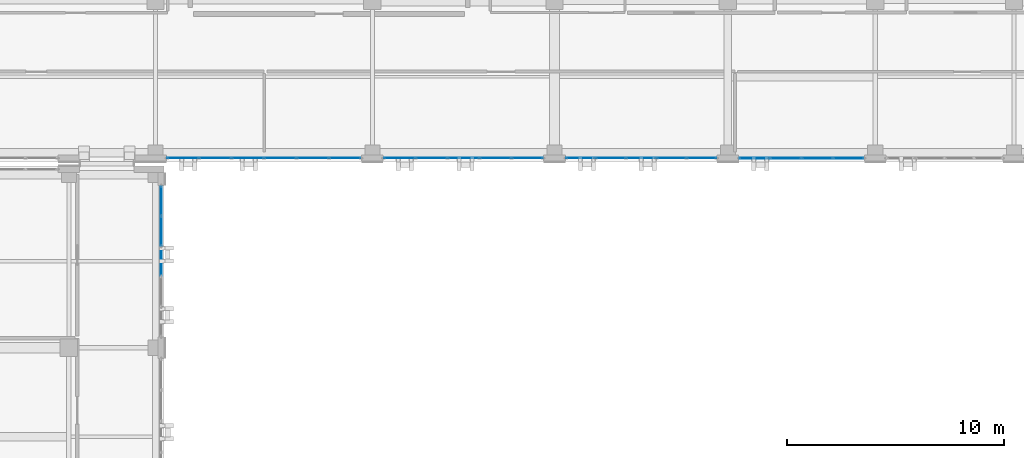
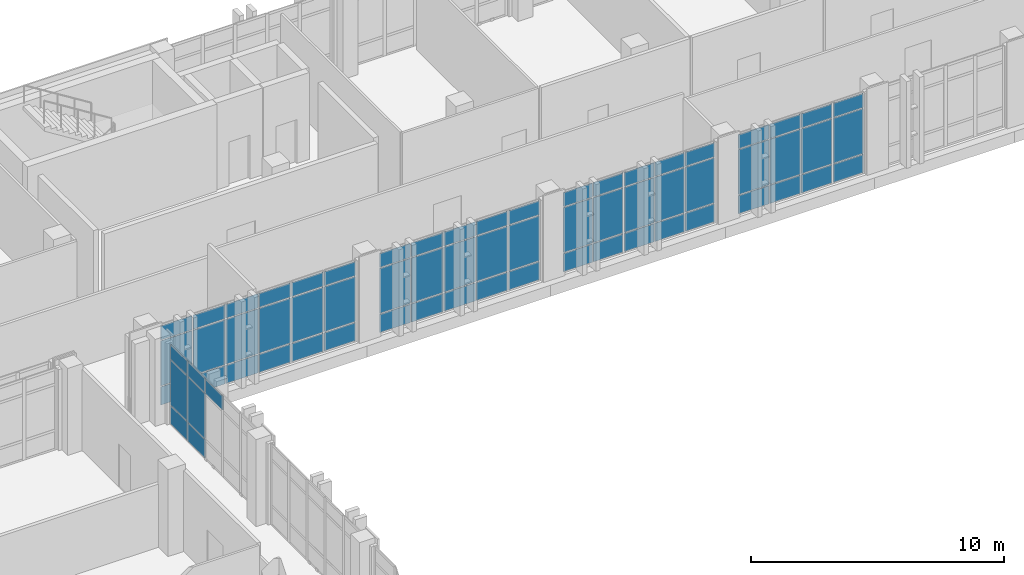
# One storey, part 125 of 165: 67 plates, 5 elements without a shape of their own.
"""IFC4 building model written with IfcOpenShell, lengths in metres."""

from ifc_helpers import new_model, si_unit, direction, frame, origin, origin_2d, place, context, subcontext, project, spatial, rectangle, extrude, material, layer, layer_set, type_object, element, aggregate, save


model = new_model("IFC4")

# Units and contexts
model_context = context("Model", 3, precision=1e-05, world=origin(), true_north=direction((0.0, 1.0)))
body_context = subcontext(model_context, "Body", "Model", "MODEL_VIEW")
ifc_project = project(units=[si_unit("LENGTHUNIT", "METRE"), si_unit("AREAUNIT", "SQUARE_METRE"), si_unit("VOLUMEUNIT", "CUBIC_METRE"), si_unit("PLANEANGLEUNIT", "RADIAN"), si_unit("MASSUNIT", "GRAM", prefix="KILO")], contexts=[model_context])

# Site, building, storey
site_placement = place(None, origin())
site = spatial("IfcSite", under=ifc_project, at=site_placement, CompositionType="ELEMENT")
building_placement = place(site_placement, origin())
building = spatial("IfcBuilding", under=site, at=building_placement, Name="Qalavern Law Courts", CompositionType="ELEMENT")
storey_placement = place(building_placement, frame((0.0, 0.0, 14.39990234375)))
storey = spatial("IfcBuildingStorey", under=building, at=storey_placement, Name="L03", CompositionType="ELEMENT", Elevation=14.39990234375)

# Curtain wall, plates
ifc_material_1 = material(Name="Anodised aluminium and insulated glazing", Category="aluminium")
ifc_layer_1 = layer(ifc_material_1, 0.166015625)
ifc_layer_set_1 = layer_set([ifc_layer_1], Name="Anodised aluminium and insulated glazing")
curtain_wall_type_1 = type_object("IfcCurtainWallType", Name="ENV-CW-LIB", PredefinedType="USERDEFINED", material=ifc_layer_set_1)
curtain_wall_1_placement = place(storey_placement, origin())
curtain_wall_1 = element("IfcCurtainWall", 1, at=curtain_wall_1_placement, inside=storey, type_object=curtain_wall_type_1, Name="V5 unitised curtain wall L03 south 1", ObjectType="UNITISED CURTAIN WALL", PredefinedType="USERDEFINED")
ifc_material_2 = material(Name="Insulated low-E acoustic glazing", Category="glass")
ifc_layer_2 = layer(ifc_material_2, 0.02392578125)
ifc_layer_set_2 = layer_set([ifc_layer_2], Name="Insulated low-E acoustic glazing")
plate_type_1 = type_object("IfcPlateType", Name="ENV-CWP-24", PredefinedType="CURTAIN_PANEL", material=ifc_layer_set_2)
plate_1_placement = place(storey_placement, frame((19.662109375, 96.347412109375, 0.048095703125), z_axis=(0.0, 0.0, 1.0), x_axis=(1.0, 0.0, 0.0)))
plate_1 = element("IfcPlate", 2, at=plate_1_placement, type_object=plate_type_1, Name="CW-05 panel 1.1", PredefinedType="CURTAIN_PANEL", context=body_context, shape_type="SweptSolid", body=[
    extrude(rectangle(XDim=1.427978515625, YDim=0.02392578125, at=origin_2d()), origin(), (0.0, 0.0, 1.0), 0.8779296875),
])
plate_2_placement = place(storey_placement, frame((19.662109375, 96.347412109375, 0.97412109375), z_axis=(0.0, 0.0, 1.0), x_axis=(1.0, 0.0, 0.0)))
plate_2 = element("IfcPlate", 3, at=plate_2_placement, type_object=plate_type_1, Name="CW-05 panel 1.2", PredefinedType="CURTAIN_PANEL", context=body_context, shape_type="SweptSolid", body=[
    extrude(rectangle(XDim=1.427978515625, YDim=0.02392578125, at=origin_2d()), origin(), (0.0, 0.0, 1.0), 2.172119140625),
])
plate_3_placement = place(storey_placement, frame((19.662109375, 96.347412109375, 3.1943359375), z_axis=(0.0, 0.0, 1.0), x_axis=(1.0, 0.0, 0.0)))
plate_3 = element("IfcPlate", 4, at=plate_3_placement, type_object=plate_type_1, Name="CW-05 panel 1.3", PredefinedType="CURTAIN_PANEL", context=body_context, shape_type="SweptSolid", body=[
    extrude(rectangle(XDim=1.427978515625, YDim=0.02392578125, at=origin_2d()), origin(), (0.0, 0.0, 1.0), 0.677978515625),
])
plate_4_placement = place(storey_placement, frame((21.14990234375, 96.347412109375, 0.048095703125), z_axis=(0.0, 0.0, 1.0), x_axis=(1.0, 0.0, 0.0)))
plate_4 = element("IfcPlate", 5, at=plate_4_placement, type_object=plate_type_1, Name="CW-05 panel 2.1", PredefinedType="CURTAIN_PANEL", context=body_context, shape_type="SweptSolid", body=[
    extrude(rectangle(XDim=1.451904296875, YDim=0.02392578125, at=origin_2d()), origin(), (0.0, 0.0, 1.0), 0.8779296875),
])
plate_5_placement = place(storey_placement, frame((21.14990234375, 96.347412109375, 0.97412109375), z_axis=(0.0, 0.0, 1.0), x_axis=(1.0, 0.0, 0.0)))
plate_5 = element("IfcPlate", 6, at=plate_5_placement, type_object=plate_type_1, Name="CW-05 panel 2.2", PredefinedType="CURTAIN_PANEL", context=body_context, shape_type="SweptSolid", body=[
    extrude(rectangle(XDim=1.451904296875, YDim=0.02392578125, at=origin_2d()), origin(), (0.0, 0.0, 1.0), 2.172119140625),
])
plate_6_placement = place(storey_placement, frame((21.14990234375, 96.347412109375, 3.1943359375), z_axis=(0.0, 0.0, 1.0), x_axis=(1.0, 0.0, 0.0)))
plate_6 = element("IfcPlate", 7, at=plate_6_placement, type_object=plate_type_1, Name="CW-05 panel 2.3", PredefinedType="CURTAIN_PANEL", context=body_context, shape_type="SweptSolid", body=[
    extrude(rectangle(XDim=1.451904296875, YDim=0.02392578125, at=origin_2d()), origin(), (0.0, 0.0, 1.0), 0.677978515625),
])
plate_7_placement = place(storey_placement, frame((22.64990234375, 96.347412109375, 0.048095703125), z_axis=(0.0, 0.0, 1.0), x_axis=(1.0, 0.0, 0.0)))
plate_7 = element("IfcPlate", 8, at=plate_7_placement, type_object=plate_type_1, Name="CW-05 panel 3.1", PredefinedType="CURTAIN_PANEL", context=body_context, shape_type="SweptSolid", body=[
    extrude(rectangle(XDim=1.451904296875, YDim=0.02392578125, at=origin_2d()), origin(), (0.0, 0.0, 1.0), 0.8779296875),
])
plate_8_placement = place(storey_placement, frame((22.64990234375, 96.347412109375, 0.97412109375), z_axis=(0.0, 0.0, 1.0), x_axis=(1.0, 0.0, 0.0)))
plate_8 = element("IfcPlate", 9, at=plate_8_placement, type_object=plate_type_1, Name="CW-05 panel 3.2", PredefinedType="CURTAIN_PANEL", context=body_context, shape_type="SweptSolid", body=[
    extrude(rectangle(XDim=1.451904296875, YDim=0.02392578125, at=origin_2d()), origin(), (0.0, 0.0, 1.0), 2.172119140625),
])
plate_9_placement = place(storey_placement, frame((22.64990234375, 96.347412109375, 3.1943359375), z_axis=(0.0, 0.0, 1.0), x_axis=(1.0, 0.0, 0.0)))
plate_9 = element("IfcPlate", 10, at=plate_9_placement, type_object=plate_type_1, Name="CW-05 panel 3.3", PredefinedType="CURTAIN_PANEL", context=body_context, shape_type="SweptSolid", body=[
    extrude(rectangle(XDim=1.451904296875, YDim=0.02392578125, at=origin_2d()), origin(), (0.0, 0.0, 1.0), 0.677978515625),
])
plate_10_placement = place(storey_placement, frame((24.14990234375, 96.347412109375, 0.048095703125), z_axis=(0.0, 0.0, 1.0), x_axis=(1.0, 0.0, 0.0)))
plate_10 = element("IfcPlate", 11, at=plate_10_placement, type_object=plate_type_1, Name="CW-05 panel 4.1", PredefinedType="CURTAIN_PANEL", context=body_context, shape_type="SweptSolid", body=[
    extrude(rectangle(XDim=1.451904296875, YDim=0.02392578125, at=origin_2d()), origin(), (0.0, 0.0, 1.0), 0.8779296875),
])
plate_11_placement = place(storey_placement, frame((24.14990234375, 96.347412109375, 0.97412109375), z_axis=(0.0, 0.0, 1.0), x_axis=(1.0, 0.0, 0.0)))
plate_11 = element("IfcPlate", 12, at=plate_11_placement, type_object=plate_type_1, Name="CW-05 panel 4.2", PredefinedType="CURTAIN_PANEL", context=body_context, shape_type="SweptSolid", body=[
    extrude(rectangle(XDim=1.451904296875, YDim=0.02392578125, at=origin_2d()), origin(), (0.0, 0.0, 1.0), 2.172119140625),
])
plate_12_placement = place(storey_placement, frame((24.14990234375, 96.347412109375, 3.1943359375), z_axis=(0.0, 0.0, 1.0), x_axis=(1.0, 0.0, 0.0)))
plate_12 = element("IfcPlate", 13, at=plate_12_placement, type_object=plate_type_1, Name="CW-05 panel 4.3", PredefinedType="CURTAIN_PANEL", context=body_context, shape_type="SweptSolid", body=[
    extrude(rectangle(XDim=1.451904296875, YDim=0.02392578125, at=origin_2d()), origin(), (0.0, 0.0, 1.0), 0.677978515625),
])
plate_13_placement = place(storey_placement, frame((25.64990234375, 96.347412109375, 0.048095703125), z_axis=(0.0, 0.0, 1.0), x_axis=(1.0, 0.0, 0.0)))
plate_13 = element("IfcPlate", 14, at=plate_13_placement, type_object=plate_type_1, Name="CW-05 panel 5.1", PredefinedType="CURTAIN_PANEL", context=body_context, shape_type="SweptSolid", body=[
    extrude(rectangle(XDim=1.451904296875, YDim=0.02392578125, at=origin_2d()), origin(), (0.0, 0.0, 1.0), 0.8779296875),
])
plate_14_placement = place(storey_placement, frame((25.64990234375, 96.347412109375, 0.97412109375), z_axis=(0.0, 0.0, 1.0), x_axis=(1.0, 0.0, 0.0)))
plate_14 = element("IfcPlate", 15, at=plate_14_placement, type_object=plate_type_1, Name="CW-05 panel 5.2", PredefinedType="CURTAIN_PANEL", context=body_context, shape_type="SweptSolid", body=[
    extrude(rectangle(XDim=1.451904296875, YDim=0.02392578125, at=origin_2d()), origin(), (0.0, 0.0, 1.0), 2.172119140625),
])
plate_15_placement = place(storey_placement, frame((25.64990234375, 96.347412109375, 3.1943359375), z_axis=(0.0, 0.0, 1.0), x_axis=(1.0, 0.0, 0.0)))
plate_15 = element("IfcPlate", 16, at=plate_15_placement, type_object=plate_type_1, Name="CW-05 panel 5.3", PredefinedType="CURTAIN_PANEL", context=body_context, shape_type="SweptSolid", body=[
    extrude(rectangle(XDim=1.451904296875, YDim=0.02392578125, at=origin_2d()), origin(), (0.0, 0.0, 1.0), 0.677978515625),
])
plate_16_placement = place(storey_placement, frame((27.137939453125, 96.347412109375, 0.048095703125), z_axis=(0.0, 0.0, 1.0), x_axis=(1.0, 0.0, 0.0)))
plate_16 = element("IfcPlate", 17, at=plate_16_placement, type_object=plate_type_1, Name="CW-05 panel 6.1", PredefinedType="CURTAIN_PANEL", context=body_context, shape_type="SweptSolid", body=[
    extrude(rectangle(XDim=1.427978515625, YDim=0.02392578125, at=origin_2d()), origin(), (0.0, 0.0, 1.0), 0.8779296875),
])
plate_17_placement = place(storey_placement, frame((27.137939453125, 96.347412109375, 0.97412109375), z_axis=(0.0, 0.0, 1.0), x_axis=(1.0, 0.0, 0.0)))
plate_17 = element("IfcPlate", 18, at=plate_17_placement, type_object=plate_type_1, Name="CW-05 panel 6.2", PredefinedType="CURTAIN_PANEL", context=body_context, shape_type="SweptSolid", body=[
    extrude(rectangle(XDim=1.427978515625, YDim=0.02392578125, at=origin_2d()), origin(), (0.0, 0.0, 1.0), 2.172119140625),
])
plate_18_placement = place(storey_placement, frame((27.137939453125, 96.347412109375, 3.1943359375), z_axis=(0.0, 0.0, 1.0), x_axis=(1.0, 0.0, 0.0)))
plate_18 = element("IfcPlate", 19, at=plate_18_placement, type_object=plate_type_1, Name="CW-05 panel 6.3", PredefinedType="CURTAIN_PANEL", context=body_context, shape_type="SweptSolid", body=[
    extrude(rectangle(XDim=1.427978515625, YDim=0.02392578125, at=origin_2d()), origin(), (0.0, 0.0, 1.0), 0.677978515625),
])
aggregate(curtain_wall_1, [plate_1, plate_2, plate_3, plate_4, plate_5, plate_6, plate_7, plate_8, plate_9, plate_10, plate_11, plate_12, plate_13, plate_14, plate_15, plate_16, plate_17, plate_18])

curtain_wall_2_placement = place(storey_placement, origin())
curtain_wall_2 = element("IfcCurtainWall", 20, at=curtain_wall_2_placement, inside=storey, type_object=curtain_wall_type_1, Name="V5 unitised curtain wall L03 south 2", ObjectType="UNITISED CURTAIN WALL", PredefinedType="USERDEFINED")
ifc_layer_3 = layer(ifc_material_2, 0.028076171875)
ifc_layer_set_3 = layer_set([ifc_layer_3], Name="Insulated low-E acoustic glazing")
plate_type_2 = type_object("IfcPlateType", Name="ENV-CWP-28", PredefinedType="CURTAIN_PANEL", material=ifc_layer_set_3)
plate_19_placement = place(storey_placement, frame((29.652099609375, 96.347412109375, 0.048095703125), z_axis=(0.0, 0.0, 1.0), x_axis=(1.0, 0.0, 0.0)))
plate_19 = element("IfcPlate", 21, at=plate_19_placement, type_object=plate_type_2, Name="CW-05 panel 1.1", PredefinedType="CURTAIN_PANEL", context=body_context, shape_type="SweptSolid", body=[
    extrude(rectangle(XDim=1.407958984375, YDim=0.028076171875, at=origin_2d()), origin(), (0.0, 0.0, 1.0), 0.8779296875),
])
plate_20_placement = place(storey_placement, frame((29.652099609375, 96.347412109375, 0.97412109375), z_axis=(0.0, 0.0, 1.0), x_axis=(1.0, 0.0, 0.0)))
plate_20 = element("IfcPlate", 22, at=plate_20_placement, type_object=plate_type_2, Name="CW-05 panel 1.2", PredefinedType="CURTAIN_PANEL", context=body_context, shape_type="SweptSolid", body=[
    extrude(rectangle(XDim=1.407958984375, YDim=0.028076171875, at=origin_2d()), origin(), (0.0, 0.0, 1.0), 2.172119140625),
])
plate_21_placement = place(storey_placement, frame((29.652099609375, 96.347412109375, 3.1943359375), z_axis=(0.0, 0.0, 1.0), x_axis=(1.0, 0.0, 0.0)))
plate_21 = element("IfcPlate", 23, at=plate_21_placement, type_object=plate_type_2, Name="CW-05 panel 1.3", PredefinedType="CURTAIN_PANEL", context=body_context, shape_type="SweptSolid", body=[
    extrude(rectangle(XDim=1.407958984375, YDim=0.028076171875, at=origin_2d()), origin(), (0.0, 0.0, 1.0), 0.677978515625),
])
plate_22_placement = place(storey_placement, frame((31.1201171875, 96.347412109375, 0.048095703125), z_axis=(0.0, 0.0, 1.0), x_axis=(1.0, 0.0, 0.0)))
plate_22 = element("IfcPlate", 24, at=plate_22_placement, type_object=plate_type_2, Name="CW-05 panel 2.1", PredefinedType="CURTAIN_PANEL", context=body_context, shape_type="SweptSolid", body=[
    extrude(rectangle(XDim=1.431884765625, YDim=0.028076171875, at=origin_2d()), origin(), (0.0, 0.0, 1.0), 0.8779296875),
])
plate_23_placement = place(storey_placement, frame((31.1201171875, 96.347412109375, 0.97412109375), z_axis=(0.0, 0.0, 1.0), x_axis=(1.0, 0.0, 0.0)))
plate_23 = element("IfcPlate", 25, at=plate_23_placement, type_object=plate_type_2, Name="CW-05 panel 2.2", PredefinedType="CURTAIN_PANEL", context=body_context, shape_type="SweptSolid", body=[
    extrude(rectangle(XDim=1.431884765625, YDim=0.028076171875, at=origin_2d()), origin(), (0.0, 0.0, 1.0), 2.172119140625),
])
plate_24_placement = place(storey_placement, frame((31.1201171875, 96.347412109375, 3.1943359375), z_axis=(0.0, 0.0, 1.0), x_axis=(1.0, 0.0, 0.0)))
plate_24 = element("IfcPlate", 26, at=plate_24_placement, type_object=plate_type_2, Name="CW-05 panel 2.3", PredefinedType="CURTAIN_PANEL", context=body_context, shape_type="SweptSolid", body=[
    extrude(rectangle(XDim=1.431884765625, YDim=0.028076171875, at=origin_2d()), origin(), (0.0, 0.0, 1.0), 0.677978515625),
])
plate_25_placement = place(storey_placement, frame((32.60009765625, 96.347412109375, 0.048095703125), z_axis=(0.0, 0.0, 1.0), x_axis=(1.0, 0.0, 0.0)))
plate_25 = element("IfcPlate", 27, at=plate_25_placement, type_object=plate_type_2, Name="CW-05 panel 3.1", PredefinedType="CURTAIN_PANEL", context=body_context, shape_type="SweptSolid", body=[
    extrude(rectangle(XDim=1.431884765625, YDim=0.028076171875, at=origin_2d()), origin(), (0.0, 0.0, 1.0), 0.8779296875),
])
plate_26_placement = place(storey_placement, frame((32.60009765625, 96.347412109375, 0.97412109375), z_axis=(0.0, 0.0, 1.0), x_axis=(1.0, 0.0, 0.0)))
plate_26 = element("IfcPlate", 28, at=plate_26_placement, type_object=plate_type_2, Name="CW-05 panel 3.2", PredefinedType="CURTAIN_PANEL", context=body_context, shape_type="SweptSolid", body=[
    extrude(rectangle(XDim=1.431884765625, YDim=0.028076171875, at=origin_2d()), origin(), (0.0, 0.0, 1.0), 2.172119140625),
])
plate_27_placement = place(storey_placement, frame((32.60009765625, 96.347412109375, 3.1943359375), z_axis=(0.0, 0.0, 1.0), x_axis=(1.0, 0.0, 0.0)))
plate_27 = element("IfcPlate", 29, at=plate_27_placement, type_object=plate_type_2, Name="CW-05 panel 3.3", PredefinedType="CURTAIN_PANEL", context=body_context, shape_type="SweptSolid", body=[
    extrude(rectangle(XDim=1.431884765625, YDim=0.028076171875, at=origin_2d()), origin(), (0.0, 0.0, 1.0), 0.677978515625),
])
plate_28_placement = place(storey_placement, frame((34.080078125, 96.347412109375, 0.048095703125), z_axis=(0.0, 0.0, 1.0), x_axis=(1.0, 0.0, 0.0)))
plate_28 = element("IfcPlate", 30, at=plate_28_placement, type_object=plate_type_2, Name="CW-05 panel 4.1", PredefinedType="CURTAIN_PANEL", context=body_context, shape_type="SweptSolid", body=[
    extrude(rectangle(XDim=1.431884765625, YDim=0.028076171875, at=origin_2d()), origin(), (0.0, 0.0, 1.0), 0.8779296875),
])
plate_29_placement = place(storey_placement, frame((34.080078125, 96.347412109375, 0.97412109375), z_axis=(0.0, 0.0, 1.0), x_axis=(1.0, 0.0, 0.0)))
plate_29 = element("IfcPlate", 31, at=plate_29_placement, type_object=plate_type_2, Name="CW-05 panel 4.2", PredefinedType="CURTAIN_PANEL", context=body_context, shape_type="SweptSolid", body=[
    extrude(rectangle(XDim=1.431884765625, YDim=0.028076171875, at=origin_2d()), origin(), (0.0, 0.0, 1.0), 2.172119140625),
])
plate_30_placement = place(storey_placement, frame((34.080078125, 96.347412109375, 3.1943359375), z_axis=(0.0, 0.0, 1.0), x_axis=(1.0, 0.0, 0.0)))
plate_30 = element("IfcPlate", 32, at=plate_30_placement, type_object=plate_type_2, Name="CW-05 panel 4.3", PredefinedType="CURTAIN_PANEL", context=body_context, shape_type="SweptSolid", body=[
    extrude(rectangle(XDim=1.431884765625, YDim=0.028076171875, at=origin_2d()), origin(), (0.0, 0.0, 1.0), 0.677978515625),
])
plate_31_placement = place(storey_placement, frame((35.548095703125, 96.347412109375, 0.048095703125), z_axis=(0.0, 0.0, 1.0), x_axis=(1.0, 0.0, 0.0)))
plate_31 = element("IfcPlate", 33, at=plate_31_placement, type_object=plate_type_2, Name="CW-05 panel 5.1", PredefinedType="CURTAIN_PANEL", context=body_context, shape_type="SweptSolid", body=[
    extrude(rectangle(XDim=1.407958984375, YDim=0.028076171875, at=origin_2d()), origin(), (0.0, 0.0, 1.0), 0.8779296875),
])
plate_32_placement = place(storey_placement, frame((35.548095703125, 96.347412109375, 0.97412109375), z_axis=(0.0, 0.0, 1.0), x_axis=(1.0, 0.0, 0.0)))
plate_32 = element("IfcPlate", 34, at=plate_32_placement, type_object=plate_type_2, Name="CW-05 panel 5.2", PredefinedType="CURTAIN_PANEL", context=body_context, shape_type="SweptSolid", body=[
    extrude(rectangle(XDim=1.407958984375, YDim=0.028076171875, at=origin_2d()), origin(), (0.0, 0.0, 1.0), 2.172119140625),
])
plate_33_placement = place(storey_placement, frame((35.548095703125, 96.347412109375, 3.1943359375), z_axis=(0.0, 0.0, 1.0), x_axis=(1.0, 0.0, 0.0)))
plate_33 = element("IfcPlate", 35, at=plate_33_placement, type_object=plate_type_2, Name="CW-05 panel 5.3", PredefinedType="CURTAIN_PANEL", context=body_context, shape_type="SweptSolid", body=[
    extrude(rectangle(XDim=1.407958984375, YDim=0.028076171875, at=origin_2d()), origin(), (0.0, 0.0, 1.0), 0.677978515625),
])
aggregate(curtain_wall_2, [plate_19, plate_20, plate_21, plate_22, plate_23, plate_24, plate_25, plate_26, plate_27, plate_28, plate_29, plate_30, plate_31, plate_32, plate_33])

curtain_wall_3_placement = place(storey_placement, origin())
curtain_wall_3 = element("IfcCurtainWall", 36, at=curtain_wall_3_placement, inside=storey, type_object=curtain_wall_type_1, Name="V5 unitised curtain wall L03 south 3", ObjectType="UNITISED CURTAIN WALL", PredefinedType="USERDEFINED")
ifc_layer_4 = layer(ifc_material_2, 0.031982421875)
ifc_layer_set_4 = layer_set([ifc_layer_4], Name="Insulated low-E acoustic glazing")
plate_type_3 = type_object("IfcPlateType", Name="ENV-CWP-32", PredefinedType="CURTAIN_PANEL", material=ifc_layer_set_4)
plate_34_placement = place(storey_placement, frame((38.011962890625, 96.347412109375, 0.048095703125), z_axis=(0.0, 0.0, 1.0), x_axis=(1.0, 0.0, 0.0)))
plate_34 = element("IfcPlate", 37, at=plate_34_placement, type_object=plate_type_3, Name="CW-05 panel 1.1", PredefinedType="CURTAIN_PANEL", context=body_context, shape_type="SweptSolid", body=[
    extrude(rectangle(XDim=1.327880859375, YDim=0.031982421875, at=origin_2d()), origin(), (0.0, 0.0, 1.0), 0.8779296875),
])
plate_35_placement = place(storey_placement, frame((38.011962890625, 96.347412109375, 0.97412109375), z_axis=(0.0, 0.0, 1.0), x_axis=(1.0, 0.0, 0.0)))
plate_35 = element("IfcPlate", 38, at=plate_35_placement, type_object=plate_type_3, Name="CW-05 panel 1.2", PredefinedType="CURTAIN_PANEL", context=body_context, shape_type="SweptSolid", body=[
    extrude(rectangle(XDim=1.327880859375, YDim=0.031982421875, at=origin_2d()), origin(), (0.0, 0.0, 1.0), 2.172119140625),
])
plate_36_placement = place(storey_placement, frame((38.011962890625, 96.347412109375, 3.1943359375), z_axis=(0.0, 0.0, 1.0), x_axis=(1.0, 0.0, 0.0)))
plate_36 = element("IfcPlate", 39, at=plate_36_placement, type_object=plate_type_3, Name="CW-05 panel 1.3", PredefinedType="CURTAIN_PANEL", context=body_context, shape_type="SweptSolid", body=[
    extrude(rectangle(XDim=1.327880859375, YDim=0.031982421875, at=origin_2d()), origin(), (0.0, 0.0, 1.0), 0.677978515625),
])
plate_37_placement = place(storey_placement, frame((39.39990234375, 96.347412109375, 0.048095703125), z_axis=(0.0, 0.0, 1.0), x_axis=(1.0, 0.0, 0.0)))
plate_37 = element("IfcPlate", 40, at=plate_37_placement, type_object=plate_type_3, Name="CW-05 panel 2.1", PredefinedType="CURTAIN_PANEL", context=body_context, shape_type="SweptSolid", body=[
    extrude(rectangle(XDim=1.35205078125, YDim=0.031982421875, at=origin_2d()), origin(), (0.0, 0.0, 1.0), 0.8779296875),
])
plate_38_placement = place(storey_placement, frame((39.39990234375, 96.347412109375, 0.97412109375), z_axis=(0.0, 0.0, 1.0), x_axis=(1.0, 0.0, 0.0)))
plate_38 = element("IfcPlate", 41, at=plate_38_placement, type_object=plate_type_3, Name="CW-05 panel 2.2", PredefinedType="CURTAIN_PANEL", context=body_context, shape_type="SweptSolid", body=[
    extrude(rectangle(XDim=1.35205078125, YDim=0.031982421875, at=origin_2d()), origin(), (0.0, 0.0, 1.0), 2.172119140625),
])
plate_39_placement = place(storey_placement, frame((39.39990234375, 96.347412109375, 3.1943359375), z_axis=(0.0, 0.0, 1.0), x_axis=(1.0, 0.0, 0.0)))
plate_39 = element("IfcPlate", 42, at=plate_39_placement, type_object=plate_type_3, Name="CW-05 panel 2.3", PredefinedType="CURTAIN_PANEL", context=body_context, shape_type="SweptSolid", body=[
    extrude(rectangle(XDim=1.35205078125, YDim=0.031982421875, at=origin_2d()), origin(), (0.0, 0.0, 1.0), 0.677978515625),
])
plate_40_placement = place(storey_placement, frame((40.800048828125, 96.347412109375, 0.048095703125), z_axis=(0.0, 0.0, 1.0), x_axis=(1.0, 0.0, 0.0)))
plate_40 = element("IfcPlate", 43, at=plate_40_placement, type_object=plate_type_3, Name="CW-05 panel 3.1", PredefinedType="CURTAIN_PANEL", context=body_context, shape_type="SweptSolid", body=[
    extrude(rectangle(XDim=1.35205078125, YDim=0.031982421875, at=origin_2d()), origin(), (0.0, 0.0, 1.0), 0.8779296875),
])
plate_41_placement = place(storey_placement, frame((40.800048828125, 96.347412109375, 0.97412109375), z_axis=(0.0, 0.0, 1.0), x_axis=(1.0, 0.0, 0.0)))
plate_41 = element("IfcPlate", 44, at=plate_41_placement, type_object=plate_type_3, Name="CW-05 panel 3.2", PredefinedType="CURTAIN_PANEL", context=body_context, shape_type="SweptSolid", body=[
    extrude(rectangle(XDim=1.35205078125, YDim=0.031982421875, at=origin_2d()), origin(), (0.0, 0.0, 1.0), 2.172119140625),
])
plate_42_placement = place(storey_placement, frame((40.800048828125, 96.347412109375, 3.1943359375), z_axis=(0.0, 0.0, 1.0), x_axis=(1.0, 0.0, 0.0)))
plate_42 = element("IfcPlate", 45, at=plate_42_placement, type_object=plate_type_3, Name="CW-05 panel 3.3", PredefinedType="CURTAIN_PANEL", context=body_context, shape_type="SweptSolid", body=[
    extrude(rectangle(XDim=1.35205078125, YDim=0.031982421875, at=origin_2d()), origin(), (0.0, 0.0, 1.0), 0.677978515625),
])
plate_43_placement = place(storey_placement, frame((42.199951171875, 96.347412109375, 0.048095703125), z_axis=(0.0, 0.0, 1.0), x_axis=(1.0, 0.0, 0.0)))
plate_43 = element("IfcPlate", 46, at=plate_43_placement, type_object=plate_type_3, Name="CW-05 panel 4.1", PredefinedType="CURTAIN_PANEL", context=body_context, shape_type="SweptSolid", body=[
    extrude(rectangle(XDim=1.35205078125, YDim=0.031982421875, at=origin_2d()), origin(), (0.0, 0.0, 1.0), 0.8779296875),
])
plate_44_placement = place(storey_placement, frame((42.199951171875, 96.347412109375, 0.97412109375), z_axis=(0.0, 0.0, 1.0), x_axis=(1.0, 0.0, 0.0)))
plate_44 = element("IfcPlate", 47, at=plate_44_placement, type_object=plate_type_3, Name="CW-05 panel 4.2", PredefinedType="CURTAIN_PANEL", context=body_context, shape_type="SweptSolid", body=[
    extrude(rectangle(XDim=1.35205078125, YDim=0.031982421875, at=origin_2d()), origin(), (0.0, 0.0, 1.0), 2.172119140625),
])
plate_45_placement = place(storey_placement, frame((42.199951171875, 96.347412109375, 3.1943359375), z_axis=(0.0, 0.0, 1.0), x_axis=(1.0, 0.0, 0.0)))
plate_45 = element("IfcPlate", 48, at=plate_45_placement, type_object=plate_type_3, Name="CW-05 panel 4.3", PredefinedType="CURTAIN_PANEL", context=body_context, shape_type="SweptSolid", body=[
    extrude(rectangle(XDim=1.35205078125, YDim=0.031982421875, at=origin_2d()), origin(), (0.0, 0.0, 1.0), 0.677978515625),
])
plate_46_placement = place(storey_placement, frame((43.587890625, 96.347412109375, 0.048095703125), z_axis=(0.0, 0.0, 1.0), x_axis=(1.0, 0.0, 0.0)))
plate_46 = element("IfcPlate", 49, at=plate_46_placement, type_object=plate_type_3, Name="CW-05 panel 5.1", PredefinedType="CURTAIN_PANEL", context=body_context, shape_type="SweptSolid", body=[
    extrude(rectangle(XDim=1.327880859375, YDim=0.031982421875, at=origin_2d()), origin(), (0.0, 0.0, 1.0), 0.8779296875),
])
plate_47_placement = place(storey_placement, frame((43.587890625, 96.347412109375, 0.97412109375), z_axis=(0.0, 0.0, 1.0), x_axis=(1.0, 0.0, 0.0)))
plate_47 = element("IfcPlate", 50, at=plate_47_placement, type_object=plate_type_3, Name="CW-05 panel 5.2", PredefinedType="CURTAIN_PANEL", context=body_context, shape_type="SweptSolid", body=[
    extrude(rectangle(XDim=1.327880859375, YDim=0.031982421875, at=origin_2d()), origin(), (0.0, 0.0, 1.0), 2.172119140625),
])
plate_48_placement = place(storey_placement, frame((43.587890625, 96.347412109375, 3.1943359375), z_axis=(0.0, 0.0, 1.0), x_axis=(1.0, 0.0, 0.0)))
plate_48 = element("IfcPlate", 51, at=plate_48_placement, type_object=plate_type_3, Name="CW-05 panel 5.3", PredefinedType="CURTAIN_PANEL", context=body_context, shape_type="SweptSolid", body=[
    extrude(rectangle(XDim=1.327880859375, YDim=0.031982421875, at=origin_2d()), origin(), (0.0, 0.0, 1.0), 0.677978515625),
])
aggregate(curtain_wall_3, [plate_34, plate_35, plate_36, plate_37, plate_38, plate_39, plate_40, plate_41, plate_42, plate_43, plate_44, plate_45, plate_46, plate_47, plate_48])

curtain_wall_4_placement = place(storey_placement, origin())
curtain_wall_4 = element("IfcCurtainWall", 52, at=curtain_wall_4_placement, inside=storey, type_object=curtain_wall_type_1, Name="V5 unitised curtain wall L03 south 4", ObjectType="UNITISED CURTAIN WALL", PredefinedType="USERDEFINED")
ifc_layer_5 = layer(ifc_material_2, 0.035888671875)
ifc_layer_set_5 = layer_set([ifc_layer_5], Name="Insulated low-E acoustic glazing")
plate_type_4 = type_object("IfcPlateType", Name="ENV-CWP-36", PredefinedType="CURTAIN_PANEL", material=ifc_layer_set_5)
plate_49_placement = place(storey_placement, frame((46.037109375, 96.347412109375, 0.048095703125), z_axis=(0.0, 0.0, 1.0), x_axis=(1.0, 0.0, 0.0)))
plate_49 = element("IfcPlate", 53, at=plate_49_placement, type_object=plate_type_4, Name="CW-05 panel 1.1", PredefinedType="CURTAIN_PANEL", context=body_context, shape_type="SweptSolid", body=[
    extrude(rectangle(XDim=1.3779296875, YDim=0.035888671875, at=origin_2d()), origin(), (0.0, 0.0, 1.0), 0.8779296875),
])
plate_50_placement = place(storey_placement, frame((46.037109375, 96.347412109375, 0.97412109375), z_axis=(0.0, 0.0, 1.0), x_axis=(1.0, 0.0, 0.0)))
plate_50 = element("IfcPlate", 54, at=plate_50_placement, type_object=plate_type_4, Name="CW-05 panel 1.2", PredefinedType="CURTAIN_PANEL", context=body_context, shape_type="SweptSolid", body=[
    extrude(rectangle(XDim=1.3779296875, YDim=0.035888671875, at=origin_2d()), origin(), (0.0, 0.0, 1.0), 2.172119140625),
])
plate_51_placement = place(storey_placement, frame((46.037109375, 96.347412109375, 3.1943359375), z_axis=(0.0, 0.0, 1.0), x_axis=(1.0, 0.0, 0.0)))
plate_51 = element("IfcPlate", 55, at=plate_51_placement, type_object=plate_type_4, Name="CW-05 panel 1.3", PredefinedType="CURTAIN_PANEL", context=body_context, shape_type="SweptSolid", body=[
    extrude(rectangle(XDim=1.3779296875, YDim=0.035888671875, at=origin_2d()), origin(), (0.0, 0.0, 1.0), 0.677978515625),
])
plate_52_placement = place(storey_placement, frame((47.47509765625, 96.347412109375, 0.048095703125), z_axis=(0.0, 0.0, 1.0), x_axis=(1.0, 0.0, 0.0)))
plate_52 = element("IfcPlate", 56, at=plate_52_placement, type_object=plate_type_4, Name="CW-05 panel 2.1", PredefinedType="CURTAIN_PANEL", context=body_context, shape_type="SweptSolid", body=[
    extrude(rectangle(XDim=1.402099609375, YDim=0.035888671875, at=origin_2d()), origin(), (0.0, 0.0, 1.0), 0.8779296875),
])
plate_53_placement = place(storey_placement, frame((47.47509765625, 96.347412109375, 0.97412109375), z_axis=(0.0, 0.0, 1.0), x_axis=(1.0, 0.0, 0.0)))
plate_53 = element("IfcPlate", 57, at=plate_53_placement, type_object=plate_type_4, Name="CW-05 panel 2.2", PredefinedType="CURTAIN_PANEL", context=body_context, shape_type="SweptSolid", body=[
    extrude(rectangle(XDim=1.402099609375, YDim=0.035888671875, at=origin_2d()), origin(), (0.0, 0.0, 1.0), 2.172119140625),
])
plate_54_placement = place(storey_placement, frame((47.47509765625, 96.347412109375, 3.1943359375), z_axis=(0.0, 0.0, 1.0), x_axis=(1.0, 0.0, 0.0)))
plate_54 = element("IfcPlate", 58, at=plate_54_placement, type_object=plate_type_4, Name="CW-05 panel 2.3", PredefinedType="CURTAIN_PANEL", context=body_context, shape_type="SweptSolid", body=[
    extrude(rectangle(XDim=1.402099609375, YDim=0.035888671875, at=origin_2d()), origin(), (0.0, 0.0, 1.0), 0.677978515625),
])
plate_55_placement = place(storey_placement, frame((48.925048828125, 96.347412109375, 0.048095703125), z_axis=(0.0, 0.0, 1.0), x_axis=(1.0, 0.0, 0.0)))
plate_55 = element("IfcPlate", 59, at=plate_55_placement, type_object=plate_type_4, Name="CW-05 panel 3.1", PredefinedType="CURTAIN_PANEL", context=body_context, shape_type="SweptSolid", body=[
    extrude(rectangle(XDim=1.402099609375, YDim=0.035888671875, at=origin_2d()), origin(), (0.0, 0.0, 1.0), 0.8779296875),
])
plate_56_placement = place(storey_placement, frame((48.925048828125, 96.347412109375, 0.97412109375), z_axis=(0.0, 0.0, 1.0), x_axis=(1.0, 0.0, 0.0)))
plate_56 = element("IfcPlate", 60, at=plate_56_placement, type_object=plate_type_4, Name="CW-05 panel 3.2", PredefinedType="CURTAIN_PANEL", context=body_context, shape_type="SweptSolid", body=[
    extrude(rectangle(XDim=1.402099609375, YDim=0.035888671875, at=origin_2d()), origin(), (0.0, 0.0, 1.0), 2.172119140625),
])
plate_57_placement = place(storey_placement, frame((48.925048828125, 96.347412109375, 3.1943359375), z_axis=(0.0, 0.0, 1.0), x_axis=(1.0, 0.0, 0.0)))
plate_57 = element("IfcPlate", 61, at=plate_57_placement, type_object=plate_type_4, Name="CW-05 panel 3.3", PredefinedType="CURTAIN_PANEL", context=body_context, shape_type="SweptSolid", body=[
    extrude(rectangle(XDim=1.402099609375, YDim=0.035888671875, at=origin_2d()), origin(), (0.0, 0.0, 1.0), 0.677978515625),
])
plate_58_placement = place(storey_placement, frame((50.363037109375, 96.347412109375, 0.048095703125), z_axis=(0.0, 0.0, 1.0), x_axis=(1.0, 0.0, 0.0)))
plate_58 = element("IfcPlate", 62, at=plate_58_placement, type_object=plate_type_4, Name="CW-05 panel 4.1", PredefinedType="CURTAIN_PANEL", context=body_context, shape_type="SweptSolid", body=[
    extrude(rectangle(XDim=1.3779296875, YDim=0.035888671875, at=origin_2d()), origin(), (0.0, 0.0, 1.0), 0.8779296875),
])
plate_59_placement = place(storey_placement, frame((50.363037109375, 96.347412109375, 0.97412109375), z_axis=(0.0, 0.0, 1.0), x_axis=(1.0, 0.0, 0.0)))
plate_59 = element("IfcPlate", 63, at=plate_59_placement, type_object=plate_type_4, Name="CW-05 panel 4.2", PredefinedType="CURTAIN_PANEL", context=body_context, shape_type="SweptSolid", body=[
    extrude(rectangle(XDim=1.3779296875, YDim=0.035888671875, at=origin_2d()), origin(), (0.0, 0.0, 1.0), 2.172119140625),
])
plate_60_placement = place(storey_placement, frame((50.363037109375, 96.347412109375, 3.1943359375), z_axis=(0.0, 0.0, 1.0), x_axis=(1.0, 0.0, 0.0)))
plate_60 = element("IfcPlate", 64, at=plate_60_placement, type_object=plate_type_4, Name="CW-05 panel 4.3", PredefinedType="CURTAIN_PANEL", context=body_context, shape_type="SweptSolid", body=[
    extrude(rectangle(XDim=1.3779296875, YDim=0.035888671875, at=origin_2d()), origin(), (0.0, 0.0, 1.0), 0.677978515625),
])
aggregate(curtain_wall_4, [plate_49, plate_50, plate_51, plate_52, plate_53, plate_54, plate_55, plate_56, plate_57, plate_58, plate_59, plate_60])

ifc_layer_6 = layer(ifc_material_1, 0.172119140625)
ifc_layer_set_6 = layer_set([ifc_layer_6], Name="Anodised aluminium and insulated glazing")
curtain_wall_type_2 = type_object("IfcCurtainWallType", Name="ENV-CW-COURT", PredefinedType="USERDEFINED", material=ifc_layer_set_6)
curtain_wall_5_placement = place(storey_placement, origin())
curtain_wall_5 = element("IfcCurtainWall", 65, at=curtain_wall_5_placement, inside=storey, type_object=curtain_wall_type_2, Name="V3 unitised curtain wall L03 east 7", ObjectType="UNITISED CURTAIN WALL", PredefinedType="USERDEFINED")
ifc_layer_7 = layer(ifc_material_2, 0.0439453125)
ifc_layer_set_7 = layer_set([ifc_layer_7], Name="Insulated low-E acoustic glazing")
plate_type_5 = type_object("IfcPlateType", Name="ENV-CWP-44", PredefinedType="CURTAIN_PANEL", material=ifc_layer_set_7)
plate_61_placement = place(storey_placement, frame((18.652587890625, 91.590087890625, 3.1943359375), z_axis=(0.0, 0.0, 1.0), x_axis=(0.0, 1.0, 0.0)))
plate_61 = element("IfcPlate", 66, at=plate_61_placement, type_object=plate_type_5, Name="CW-03 panel 3.3", PredefinedType="CURTAIN_PANEL", context=body_context, shape_type="SweptSolid", body=[
    extrude(rectangle(XDim=1.347900390625, YDim=0.0439453125, at=origin_2d()), origin(), (0.0, 0.0, 1.0), 0.677978515625),
])
plate_62_placement = place(storey_placement, frame((18.652587890625, 92.986083984375, 0.048095703125), z_axis=(0.0, 0.0, 1.0), x_axis=(0.0, 1.0, 0.0)))
plate_62 = element("IfcPlate", 67, at=plate_62_placement, type_object=plate_type_5, Name="CW-03 panel 4.1", PredefinedType="CURTAIN_PANEL", context=body_context, shape_type="SweptSolid", body=[
    extrude(rectangle(XDim=1.347900390625, YDim=0.0439453125, at=origin_2d()), origin(), (0.0, 0.0, 1.0), 0.8779296875),
])
plate_63_placement = place(storey_placement, frame((18.652587890625, 92.986083984375, 0.97412109375), z_axis=(0.0, 0.0, 1.0), x_axis=(0.0, 1.0, 0.0)))
plate_63 = element("IfcPlate", 68, at=plate_63_placement, type_object=plate_type_5, Name="CW-03 panel 4.2", PredefinedType="CURTAIN_PANEL", context=body_context, shape_type="SweptSolid", body=[
    extrude(rectangle(XDim=1.347900390625, YDim=0.0439453125, at=origin_2d()), origin(), (0.0, 0.0, 1.0), 2.172119140625),
])
plate_64_placement = place(storey_placement, frame((18.652587890625, 92.986083984375, 3.1943359375), z_axis=(0.0, 0.0, 1.0), x_axis=(0.0, 1.0, 0.0)))
plate_64 = element("IfcPlate", 69, at=plate_64_placement, type_object=plate_type_5, Name="CW-03 panel 4.3", PredefinedType="CURTAIN_PANEL", context=body_context, shape_type="SweptSolid", body=[
    extrude(rectangle(XDim=1.347900390625, YDim=0.0439453125, at=origin_2d()), origin(), (0.0, 0.0, 1.0), 0.677978515625),
])
plate_65_placement = place(storey_placement, frame((18.652587890625, 94.3701171875, 0.048095703125), z_axis=(0.0, 0.0, 1.0), x_axis=(0.0, 1.0, 0.0)))
plate_65 = element("IfcPlate", 70, at=plate_65_placement, type_object=plate_type_5, Name="CW-03 panel 5.1", PredefinedType="CURTAIN_PANEL", context=body_context, shape_type="SweptSolid", body=[
    extrude(rectangle(XDim=1.323974609375, YDim=0.0439453125, at=origin_2d()), origin(), (0.0, 0.0, 1.0), 0.8779296875),
])
plate_66_placement = place(storey_placement, frame((18.652587890625, 94.3701171875, 0.97412109375), z_axis=(0.0, 0.0, 1.0), x_axis=(0.0, 1.0, 0.0)))
plate_66 = element("IfcPlate", 71, at=plate_66_placement, type_object=plate_type_5, Name="CW-03 panel 5.2", PredefinedType="CURTAIN_PANEL", context=body_context, shape_type="SweptSolid", body=[
    extrude(rectangle(XDim=1.323974609375, YDim=0.0439453125, at=origin_2d()), origin(), (0.0, 0.0, 1.0), 2.172119140625),
])
plate_67_placement = place(storey_placement, frame((18.652587890625, 94.3701171875, 3.1943359375), z_axis=(0.0, 0.0, 1.0), x_axis=(0.0, 1.0, 0.0)))
plate_67 = element("IfcPlate", 72, at=plate_67_placement, type_object=plate_type_5, Name="CW-03 panel 5.3", PredefinedType="CURTAIN_PANEL", context=body_context, shape_type="SweptSolid", body=[
    extrude(rectangle(XDim=1.323974609375, YDim=0.0439453125, at=origin_2d()), origin(), (0.0, 0.0, 1.0), 0.677978515625),
])
aggregate(curtain_wall_5, [plate_61, plate_62, plate_63, plate_64, plate_65, plate_66, plate_67])

save(model, "model.ifc")
